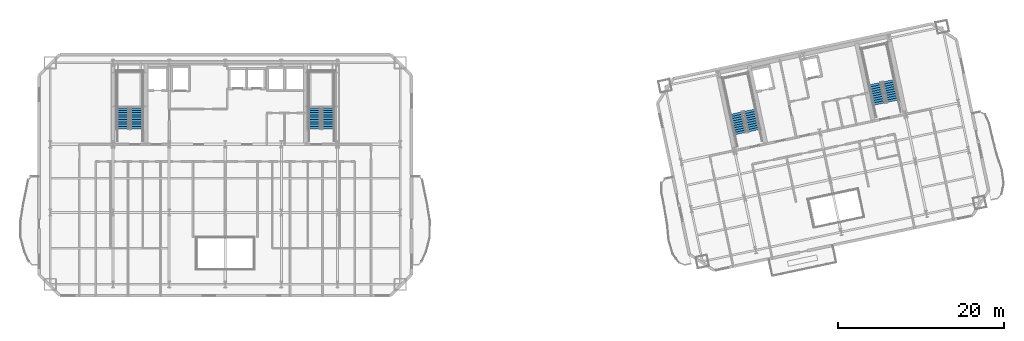
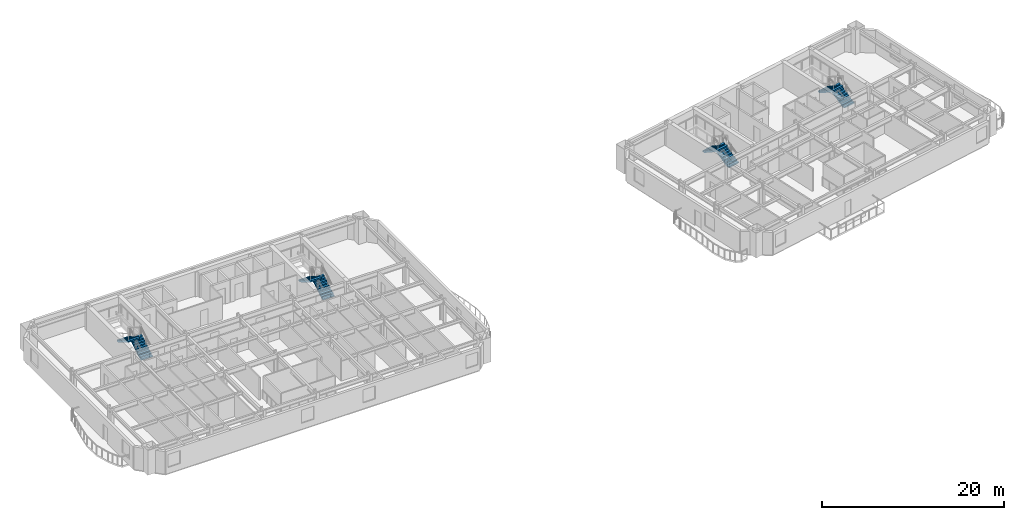
# One storey, part 10 of 14: 8 stair flights, 4 elements without a shape of their own.
"""IFC4 building model written with IfcOpenShell, lengths in metres."""

from ifc_helpers import new_model, si_unit, direction, frame, origin, place, context, subcontext, project, spatial, polyline, outline, extrude, material, type_object, element, aggregate, save


model = new_model("IFC4")

# Units and contexts
model_context = context("Model", 3, precision=1e-05, world=origin(), true_north=direction((0.0, 1.0)))
body_context = subcontext(model_context, "Body", "Model", "MODEL_VIEW")
ifc_project = project(units=[si_unit("LENGTHUNIT", "METRE"), si_unit("AREAUNIT", "SQUARE_METRE"), si_unit("VOLUMEUNIT", "CUBIC_METRE"), si_unit("PLANEANGLEUNIT", "RADIAN"), si_unit("MASSUNIT", "GRAM", prefix="KILO")], contexts=[model_context])

# Site, building, storey
site_placement = place(None, origin())
site = spatial("IfcSite", under=ifc_project, at=site_placement, CompositionType="ELEMENT")
building_placement = place(site_placement, origin())
building = spatial("IfcBuilding", under=site, at=building_placement, Name="Haevon Station Towers", CompositionType="ELEMENT")
storey_placement = place(building_placement, frame((0.0, 0.0, 116.39990234375)))
storey = spatial("IfcBuildingStorey", under=building, at=storey_placement, Name="L31", CompositionType="ELEMENT", Elevation=116.39990234375)

# Stair, stair flights
ifc_material = material(Name="Concrete C40/50", Category="concrete")
stair_type = type_object("IfcStairType", Name="STR-DL1450", PredefinedType="USERDEFINED", material=ifc_material)
stair_1_placement = place(storey_placement, origin())
stair_1 = element("IfcStair", 1, at=stair_1_placement, inside=storey, type_object=stair_type, Name="L31 Escape Stair ST1", ObjectType="TWO_RETURN_STAIR", PredefinedType="USERDEFINED")
stair_flight_type = type_object("IfcStairFlightType", Name="STF-ST1450", PredefinedType="STRAIGHT", material=ifc_material)
stair_flight_1_placement = place(storey_placement, frame((26.85498046875, 40.050048828125, 0.0), z_axis=(0.0, 0.0, 1.0), x_axis=(0.0, 1.0, 0.0)))
stair_flight_1 = element("IfcStairFlight", 2, at=stair_flight_1_placement, type_object=stair_flight_type, Name="L31 ST1 Flight 1", NumberOfRisers=10, NumberOfTreads=9, PredefinedType="STRAIGHT", RiserHeight=0.165, TreadLength=0.28, context=body_context, shape_type="SweptSolid", body=[
    extrude(outline(polyline([(0.0, 0.0), (0.0, 0.1650390625), (0.280029296875, 0.1650390625), (0.280029296875, 0.330078125), (0.56005859375, 0.330078125), (0.56005859375, 0.4951171875), (0.840087890625, 0.4951171875), (0.840087890625, 0.659912109375), (1.1201171875, 0.659912109375), (1.1201171875, 0.824951171875), (1.39990234375, 0.824951171875), (1.39990234375, 0.989990234375), (1.679931640625, 0.989990234375), (1.679931640625, 1.155029296875), (1.9599609375, 1.155029296875), (1.9599609375, 1.320068359375), (2.239990234375, 1.320068359375), (2.239990234375, 1.485107421875), (2.52001953125, 1.485107421875), (2.52001953125, 1.64990234375), (2.52001953125, 1.29931640625), (0.31494140625, 0.0), (0.0, 0.0)])), frame((0.0, 0.72509765625, 0.0), z_axis=(0.0, -1.0, 0.0), x_axis=(1.0, 0.0, 0.0)), (0.0, 0.0, 1.0), 1.449951171875),
])
stair_flight_2_placement = place(storey_placement, frame((25.205078125, 42.570068359375, 1.650146484375), z_axis=(0.0, 0.0, 1.0), x_axis=(0.0, -1.0, 0.0)))
stair_flight_2 = element("IfcStairFlight", 3, at=stair_flight_2_placement, type_object=stair_flight_type, Name="L31 ST1 Flight 2", NumberOfRisers=10, NumberOfTreads=9, PredefinedType="STRAIGHT", RiserHeight=0.165, TreadLength=0.28, context=body_context, shape_type="SweptSolid", body=[
    extrude(outline(polyline([(0.0, 0.0), (0.0, 0.1650390625), (0.280029296875, 0.1650390625), (0.280029296875, 0.330078125), (0.56005859375, 0.330078125), (0.56005859375, 0.4951171875), (0.840087890625, 0.4951171875), (0.840087890625, 0.659912109375), (1.1201171875, 0.659912109375), (1.1201171875, 0.824951171875), (1.39990234375, 0.824951171875), (1.39990234375, 0.989990234375), (1.679931640625, 0.989990234375), (1.679931640625, 1.155029296875), (1.9599609375, 1.155029296875), (1.9599609375, 1.320068359375), (2.239990234375, 1.320068359375), (2.239990234375, 1.485107421875), (2.52001953125, 1.485107421875), (2.52001953125, 1.64990234375), (2.52001953125, 1.29931640625), (0.31494140625, 0.0), (0.0, 0.0)])), frame((0.0, 0.72509765625, 0.0), z_axis=(0.0, -1.0, 0.0), x_axis=(1.0, 0.0, 0.0)), (0.0, 0.0, 1.0), 1.449951171875),
])
aggregate(stair_1, [stair_flight_1, stair_flight_2])

stair_2_placement = place(storey_placement, origin())
stair_2 = element("IfcStair", 4, at=stair_2_placement, inside=storey, type_object=stair_type, Name="L31 Escape Stair ST2", ObjectType="TWO_RETURN_STAIR", PredefinedType="USERDEFINED")
stair_flight_3_placement = place(storey_placement, frame((49.89501953125, 40.050048828125, 0.0), z_axis=(0.0, 0.0, 1.0), x_axis=(0.0, 1.0, 0.0)))
stair_flight_3 = element("IfcStairFlight", 5, at=stair_flight_3_placement, type_object=stair_flight_type, Name="L31 ST2 Flight 1", NumberOfRisers=10, NumberOfTreads=9, PredefinedType="STRAIGHT", RiserHeight=0.165, TreadLength=0.28, context=body_context, shape_type="SweptSolid", body=[
    extrude(outline(polyline([(0.0, 0.0), (0.0, 0.1650390625), (0.280029296875, 0.1650390625), (0.280029296875, 0.330078125), (0.56005859375, 0.330078125), (0.56005859375, 0.4951171875), (0.840087890625, 0.4951171875), (0.840087890625, 0.659912109375), (1.1201171875, 0.659912109375), (1.1201171875, 0.824951171875), (1.39990234375, 0.824951171875), (1.39990234375, 0.989990234375), (1.679931640625, 0.989990234375), (1.679931640625, 1.155029296875), (1.9599609375, 1.155029296875), (1.9599609375, 1.320068359375), (2.239990234375, 1.320068359375), (2.239990234375, 1.485107421875), (2.52001953125, 1.485107421875), (2.52001953125, 1.64990234375), (2.52001953125, 1.29931640625), (0.31494140625, 0.0), (0.0, 0.0)])), frame((0.0, 0.72509765625, 0.0), z_axis=(0.0, -1.0, 0.0), x_axis=(1.0, 0.0, 0.0)), (0.0, 0.0, 1.0), 1.449951171875),
])
stair_flight_4_placement = place(storey_placement, frame((48.2451171875, 42.570068359375, 1.650146484375), z_axis=(0.0, 0.0, 1.0), x_axis=(0.0, -1.0, 0.0)))
stair_flight_4 = element("IfcStairFlight", 6, at=stair_flight_4_placement, type_object=stair_flight_type, Name="L31 ST2 Flight 2", NumberOfRisers=10, NumberOfTreads=9, PredefinedType="STRAIGHT", RiserHeight=0.165, TreadLength=0.28, context=body_context, shape_type="SweptSolid", body=[
    extrude(outline(polyline([(0.0, 0.0), (0.0, 0.1650390625), (0.280029296875, 0.1650390625), (0.280029296875, 0.330078125), (0.56005859375, 0.330078125), (0.56005859375, 0.4951171875), (0.840087890625, 0.4951171875), (0.840087890625, 0.659912109375), (1.1201171875, 0.659912109375), (1.1201171875, 0.824951171875), (1.39990234375, 0.824951171875), (1.39990234375, 0.989990234375), (1.679931640625, 0.989990234375), (1.679931640625, 1.155029296875), (1.9599609375, 1.155029296875), (1.9599609375, 1.320068359375), (2.239990234375, 1.320068359375), (2.239990234375, 1.485107421875), (2.52001953125, 1.485107421875), (2.52001953125, 1.64990234375), (2.52001953125, 1.29931640625), (0.31494140625, 0.0), (0.0, 0.0)])), frame((0.0, 0.72509765625, 0.0), z_axis=(0.0, -1.0, 0.0), x_axis=(1.0, 0.0, 0.0)), (0.0, 0.0, 1.0), 1.449951171875),
])
aggregate(stair_2, [stair_flight_3, stair_flight_4])

stair_3_placement = place(storey_placement, origin())
stair_3 = element("IfcStair", 7, at=stair_3_placement, inside=storey, type_object=stair_type, Name="L31 Escape Stair ST3", ObjectType="TWO_RETURN_STAIR", PredefinedType="USERDEFINED")
stair_flight_5_placement = place(storey_placement, frame((101.1015625, 39.8330078125, 0.0), z_axis=(0.0, 0.0, 1.0), x_axis=(-0.207911690818, 0.978147600734, 0.0)))
stair_flight_5 = element("IfcStairFlight", 8, at=stair_flight_5_placement, type_object=stair_flight_type, Name="L31 ST3 Flight 1", NumberOfRisers=10, NumberOfTreads=9, PredefinedType="STRAIGHT", RiserHeight=0.165, TreadLength=0.28, context=body_context, shape_type="SweptSolid", body=[
    extrude(outline(polyline([(0.0, 0.0), (0.0, 0.1650390625), (0.280029296875, 0.1650390625), (0.280029296875, 0.330078125), (0.56005859375, 0.330078125), (0.56005859375, 0.4951171875), (0.840087890625, 0.4951171875), (0.840087890625, 0.659912109375), (1.1201171875, 0.659912109375), (1.1201171875, 0.824951171875), (1.39990234375, 0.824951171875), (1.39990234375, 0.989990234375), (1.679931640625, 0.989990234375), (1.679931640625, 1.155029296875), (1.9599609375, 1.155029296875), (1.9599609375, 1.320068359375), (2.239990234375, 1.320068359375), (2.239990234375, 1.485107421875), (2.52001953125, 1.485107421875), (2.52001953125, 1.64990234375), (2.52001953125, 1.29931640625), (0.31494140625, 0.0), (0.0, 0.0)])), frame((0.0, 0.72509765625, 0.0), z_axis=(0.0, -1.0, 0.0), x_axis=(1.0, 0.0, 0.0)), (0.0, 0.0, 1.0), 1.449951171875),
])
stair_flight_6_placement = place(storey_placement, frame((98.9638671875, 41.955078125, 1.650146484375), z_axis=(0.0, 0.0, 1.0), x_axis=(0.207911690818, -0.978147600734, 0.0)))
stair_flight_6 = element("IfcStairFlight", 9, at=stair_flight_6_placement, type_object=stair_flight_type, Name="L31 ST3 Flight 2", NumberOfRisers=10, NumberOfTreads=9, PredefinedType="STRAIGHT", RiserHeight=0.165, TreadLength=0.28, context=body_context, shape_type="SweptSolid", body=[
    extrude(outline(polyline([(0.0, 0.0), (0.0, 0.1650390625), (0.280029296875, 0.1650390625), (0.280029296875, 0.330078125), (0.56005859375, 0.330078125), (0.56005859375, 0.4951171875), (0.840087890625, 0.4951171875), (0.840087890625, 0.659912109375), (1.1201171875, 0.659912109375), (1.1201171875, 0.824951171875), (1.39990234375, 0.824951171875), (1.39990234375, 0.989990234375), (1.679931640625, 0.989990234375), (1.679931640625, 1.155029296875), (1.9599609375, 1.155029296875), (1.9599609375, 1.320068359375), (2.239990234375, 1.320068359375), (2.239990234375, 1.485107421875), (2.52001953125, 1.485107421875), (2.52001953125, 1.64990234375), (2.52001953125, 1.29931640625), (0.31494140625, 0.0), (0.0, 0.0)])), frame((0.0, 0.72509765625, 0.0), z_axis=(0.0, -1.0, 0.0), x_axis=(1.0, 0.0, 0.0)), (0.0, 0.0, 1.0), 1.449951171875),
])
aggregate(stair_3, [stair_flight_5, stair_flight_6])

stair_4_placement = place(storey_placement, origin())
stair_4 = element("IfcStair", 10, at=stair_4_placement, inside=storey, type_object=stair_type, Name="L31 Escape Stair ST4", ObjectType="TWO_RETURN_STAIR", PredefinedType="USERDEFINED")
stair_flight_7_placement = place(storey_placement, frame((117.788818359375, 43.380126953125, 0.0), z_axis=(0.0, 0.0, 1.0), x_axis=(-0.207911690818, 0.978147600734, 0.0)))
stair_flight_7 = element("IfcStairFlight", 11, at=stair_flight_7_placement, type_object=stair_flight_type, Name="L31 ST4 Flight 1", NumberOfRisers=10, NumberOfTreads=9, PredefinedType="STRAIGHT", RiserHeight=0.165, TreadLength=0.28, context=body_context, shape_type="SweptSolid", body=[
    extrude(outline(polyline([(0.0, 0.0), (0.0, 0.1650390625), (0.280029296875, 0.1650390625), (0.280029296875, 0.330078125), (0.56005859375, 0.330078125), (0.56005859375, 0.4951171875), (0.840087890625, 0.4951171875), (0.840087890625, 0.659912109375), (1.1201171875, 0.659912109375), (1.1201171875, 0.824951171875), (1.39990234375, 0.824951171875), (1.39990234375, 0.989990234375), (1.679931640625, 0.989990234375), (1.679931640625, 1.155029296875), (1.9599609375, 1.155029296875), (1.9599609375, 1.320068359375), (2.239990234375, 1.320068359375), (2.239990234375, 1.485107421875), (2.52001953125, 1.485107421875), (2.52001953125, 1.64990234375), (2.52001953125, 1.29931640625), (0.31494140625, 0.0), (0.0, 0.0)])), frame((0.0, 0.72509765625, 0.0), z_axis=(0.0, -1.0, 0.0), x_axis=(1.0, 0.0, 0.0)), (0.0, 0.0, 1.0), 1.449951171875),
])
stair_flight_8_placement = place(storey_placement, frame((115.65087890625, 45.501953125, 1.650146484375), z_axis=(0.0, 0.0, 1.0), x_axis=(0.207911690818, -0.978147600734, 0.0)))
stair_flight_8 = element("IfcStairFlight", 12, at=stair_flight_8_placement, type_object=stair_flight_type, Name="L31 ST4 Flight 2", NumberOfRisers=10, NumberOfTreads=9, PredefinedType="STRAIGHT", RiserHeight=0.165, TreadLength=0.28, context=body_context, shape_type="SweptSolid", body=[
    extrude(outline(polyline([(0.0, 0.0), (0.0, 0.1650390625), (0.280029296875, 0.1650390625), (0.280029296875, 0.330078125), (0.56005859375, 0.330078125), (0.56005859375, 0.4951171875), (0.840087890625, 0.4951171875), (0.840087890625, 0.659912109375), (1.1201171875, 0.659912109375), (1.1201171875, 0.824951171875), (1.39990234375, 0.824951171875), (1.39990234375, 0.989990234375), (1.679931640625, 0.989990234375), (1.679931640625, 1.155029296875), (1.9599609375, 1.155029296875), (1.9599609375, 1.320068359375), (2.239990234375, 1.320068359375), (2.239990234375, 1.485107421875), (2.52001953125, 1.485107421875), (2.52001953125, 1.64990234375), (2.52001953125, 1.29931640625), (0.31494140625, 0.0), (0.0, 0.0)])), frame((0.0, 0.72509765625, 0.0), z_axis=(0.0, -1.0, 0.0), x_axis=(1.0, 0.0, 0.0)), (0.0, 0.0, 1.0), 1.449951171875),
])
aggregate(stair_4, [stair_flight_7, stair_flight_8])

save(model, "model.ifc")
